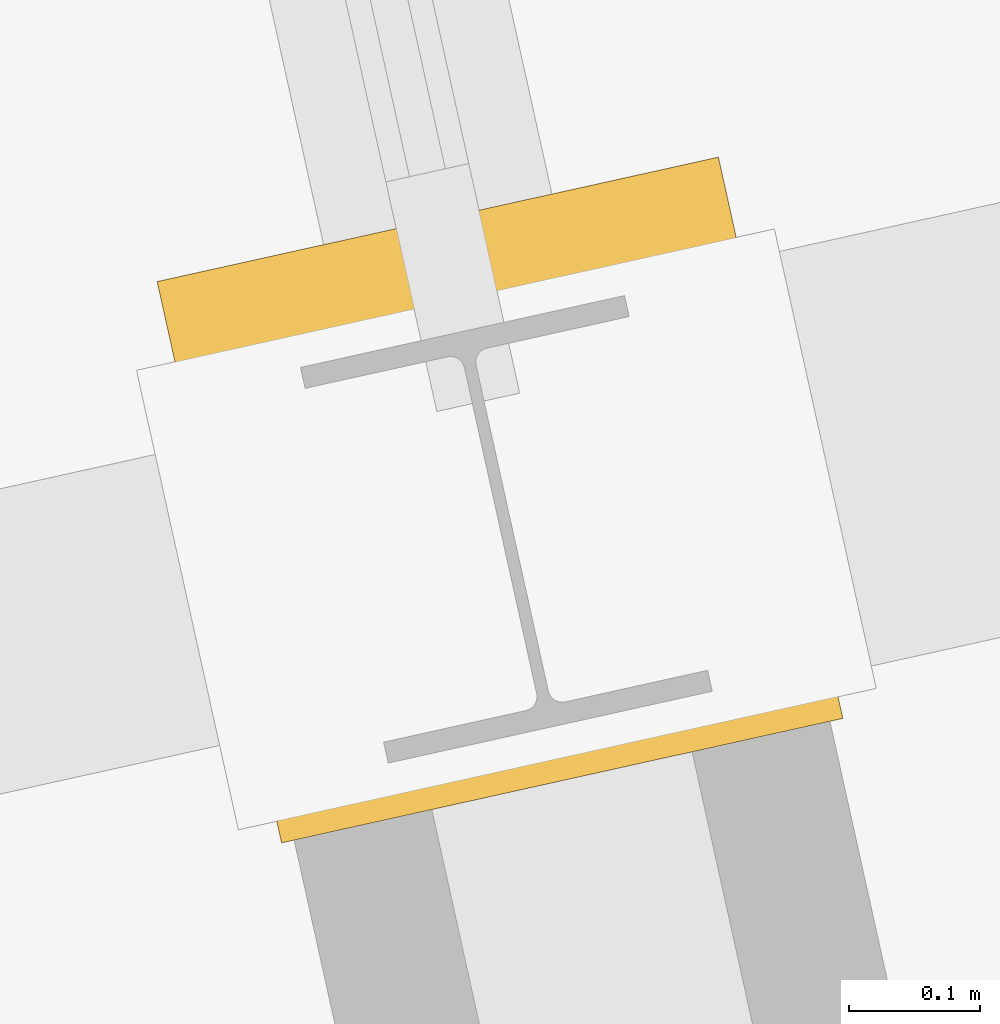
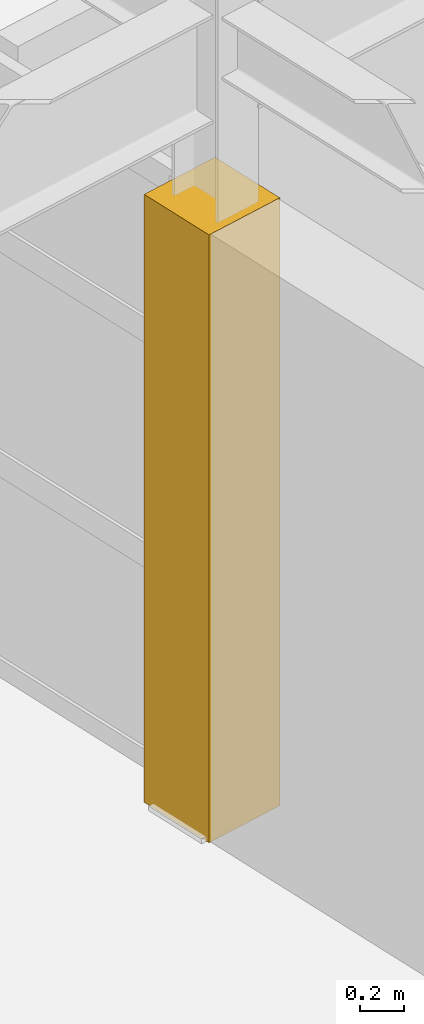
# One storey, part 105 of 108: 1 covering.
"""IFC4 building model written with IfcOpenShell, lengths in metres."""

from ifc_helpers import new_model, si_unit, direction, frame, origin, origin_2d, place, context, subcontext, project, spatial, rectangle, extrude, material, layer, layer_set, type_object, element, save


model = new_model("IFC4")

# Units and contexts
model_context = context("Model", 3, precision=1e-05, world=origin(), true_north=direction((0.0, 1.0)))
body_context = subcontext(model_context, "Body", "Model", "MODEL_VIEW")
ifc_project = project(units=[si_unit("LENGTHUNIT", "METRE"), si_unit("AREAUNIT", "SQUARE_METRE"), si_unit("VOLUMEUNIT", "CUBIC_METRE"), si_unit("PLANEANGLEUNIT", "RADIAN"), si_unit("MASSUNIT", "GRAM", prefix="KILO")], contexts=[model_context])

# Site, building, storey
site_placement = place(None, origin())
site = spatial("IfcSite", under=ifc_project, at=site_placement, CompositionType="ELEMENT")
building_placement = place(site_placement, origin())
building = spatial("IfcBuilding", under=site, at=building_placement, Name="Vireo Bluff Cable Station", CompositionType="ELEMENT")
storey_placement = place(building_placement, origin())
storey = spatial("IfcBuildingStorey", under=building, at=storey_placement, Name="L00", CompositionType="ELEMENT", Elevation=0.0)

# Covering
ifc_material = material(Name="Precast concrete f'c 45 MPa", Category="concrete")
ifc_layer = layer(ifc_material, 0.0400390625, Name="Precast concrete f'c 45 MPa")
ifc_layer_set = layer_set([ifc_layer], Name="Precast concrete f'c 45 MPa")
covering_type = type_object("IfcCoveringType", Name="COL-CLOSURE-WRAP", PredefinedType="CLADDING", material=ifc_layer_set)
covering_placement = place(storey_placement, frame((130.66943359375, 94.52001953125, 0.0), z_axis=(0.0, 0.0, 1.0), x_axis=(0.97629600712, 0.216439613938, 0.0)))
element("IfcCovering", 1, at=covering_placement, inside=storey, type_object=covering_type, Name="V2 L00 column pocket closure", PredefinedType="CLADDING", context=body_context, shape_type="SweptSolid", body=[
    extrude(rectangle(XDim=0.43994140625, YDim=0.43994140625, at=origin_2d()), origin(), (0.0, 0.0, 1.0), 3.39990234375),
])

save(model, "model.ifc")
